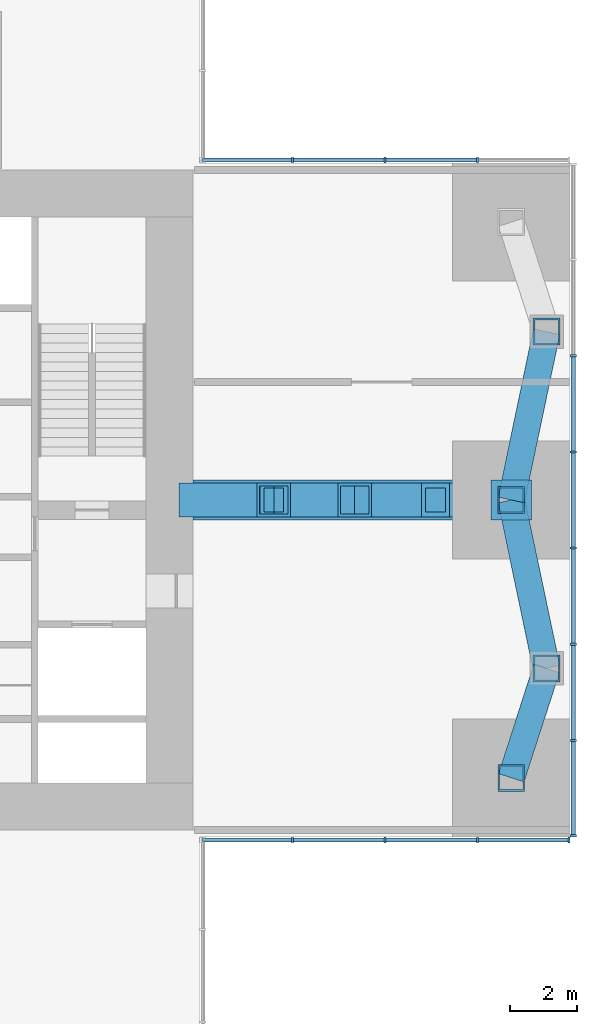
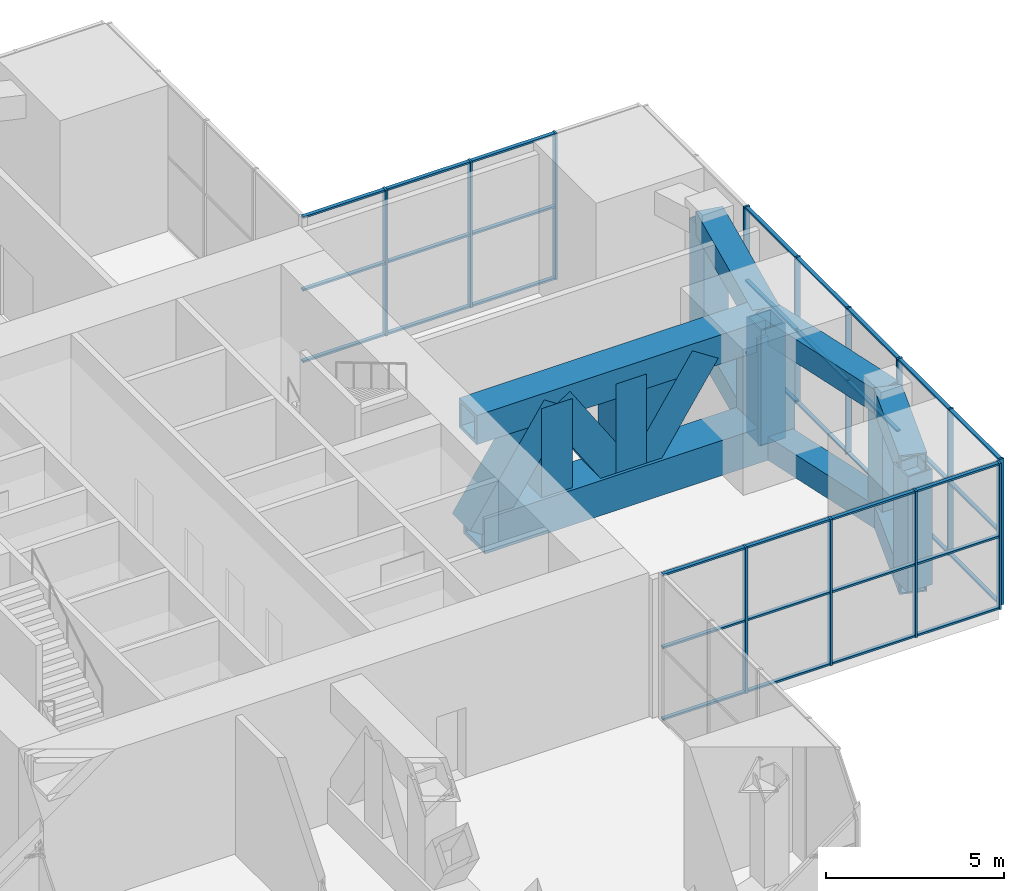
# One storey, part 5 of 12: 67 members, 3 elements without a shape of their own.
"""IFC4 building model written with IfcOpenShell, lengths in metres."""

from ifc_helpers import new_model, si_unit, direction, frame, origin, origin_2d, place, context, subcontext, project, spatial, rectangle, hollow_rectangle, extrude, material, material_profile, profile_set, type_object, element, aggregate, save


model = new_model("IFC4")

# Units and contexts
model_context = context("Model", 3, precision=1e-05, world=origin(), true_north=direction((0.0, 1.0)))
body_context = subcontext(model_context, "Body", "Model", "MODEL_VIEW")
ifc_project = project(units=[si_unit("LENGTHUNIT", "METRE"), si_unit("AREAUNIT", "SQUARE_METRE"), si_unit("VOLUMEUNIT", "CUBIC_METRE"), si_unit("PLANEANGLEUNIT", "RADIAN"), si_unit("MASSUNIT", "GRAM", prefix="KILO")], contexts=[model_context])

# Site, building, storey
site_placement = place(None, origin())
site = spatial("IfcSite", under=ifc_project, at=site_placement, CompositionType="ELEMENT")
building_placement = place(site_placement, origin())
building = spatial("IfcBuilding", under=site, at=building_placement, Name="Svetlomir Tower", CompositionType="ELEMENT")
storey_placement = place(building_placement, frame((0.0, 0.0, 234.5)))
storey = spatial("IfcBuildingStorey", under=building, at=storey_placement, Name="L56", CompositionType="ELEMENT", Elevation=234.5)

# Members
ifc_material_1 = material(Name="Steel S355", Category="steel")
ifc_material_profile_1 = material_profile(ifc_material_1, hollow_rectangle(XDim=0.800048828125, YDim=0.800048828125, WallThickness=0.050048828125, at=origin_2d()), Name="BOX 800x800x50")
ifc_profile_set_1 = profile_set([ifc_material_profile_1], Name="Steel S355")
member_type_1 = type_object("IfcMemberType", Name="BELT FRAME CHORD BOX 800x800x50", PredefinedType="CHORD", material=ifc_profile_set_1)
for number, where, z_axis, x_axis, name in (
    (1, (40.25, 12.75, 0.39990234375), (0.307443428225, 0.951566360503, 0.0), (-0.951566360503, 0.307443428225, 0.0), "Belt frame E L56 bottom chord 1"),
    (2, (40.25, 12.75, 4.35009765625), (0.307443428225, 0.951566360503, 0.0), (-0.951566360503, 0.307443428225, 0.0), "Belt frame E L56 top chord 1"),
):
    element("IfcMember", number, at=place(storey_placement, frame(where, z_axis=z_axis, x_axis=x_axis)), inside=storey, type_object=member_type_1, Name=name, PredefinedType="CHORD", context=body_context, shape_type="SweptSolid", body=[
        extrude(hollow_rectangle(XDim=0.800048828125, YDim=0.800048828125, WallThickness=0.050048828125, at=origin_2d()), origin(), (0.0, 0.0, 1.0), 3.41552734375),
    ])
for number, where, z_axis, x_axis, name in (
    (3, (41.300048828125, 16.0, 0.39990234375), (-0.205526387753, 0.978651574329, 0.0), (-0.978651574329, -0.205526387753, 0.0), "Belt frame E L56 bottom chord 2"),
    (4, (41.300048828125, 16.0, 4.35009765625), (-0.205526387753, 0.978651574329, 0.0), (-0.978651574329, -0.205526387753, 0.0), "Belt frame E L56 top chord 2"),
    (5, (40.25, 21.0, 0.39990234375), (0.205526387753, 0.978651574329, 0.0), (-0.978651574329, 0.205526387753, 0.0), "Belt frame E L56 bottom chord 3"),
    (6, (40.25, 21.0, 4.35009765625), (0.205526387753, 0.978651574329, 0.0), (-0.978651574329, 0.205526387753, 0.0), "Belt frame E L56 top chord 3"),
):
    element("IfcMember", number, at=place(storey_placement, frame(where, z_axis=z_axis, x_axis=x_axis)), inside=storey, type_object=member_type_1, Name=name, PredefinedType="CHORD", context=body_context, shape_type="SweptSolid", body=[
        extrude(hollow_rectangle(XDim=0.800048828125, YDim=0.800048828125, WallThickness=0.050048828125, at=origin_2d()), origin(), (0.0, 0.0, 1.0), 5.109130859375),
    ])
ifc_material_2 = material(Name="Steel S355", Category="steel")
ifc_material_profile_2 = material_profile(ifc_material_2, hollow_rectangle(XDim=0.800048828125, YDim=0.800048828125, WallThickness=0.050048828125, at=origin_2d()), Name="BOX 800x800x50")
ifc_profile_set_2 = profile_set([ifc_material_profile_2], Name="Steel S355")
member_type_2 = type_object("IfcMemberType", Name="BELT FRAME POST BOX 800x800x50", PredefinedType="POST", material=ifc_profile_set_2)
for number, where, z_axis, x_axis, name in (
    (7, (40.25, 12.75, 0.39990234375), (0.0, 0.0, 1.0), (1.0, 0.0, 0.0), "Belt frame E L56 post 1"),
    (8, (41.300048828125, 16.0, 0.39990234375), (0.0, 0.0, 1.0), (1.0, 0.0, 0.0), "Belt frame E L56 post 2"),
    (9, (40.25, 21.0, 0.39990234375), (0.0, 0.0, 1.0), (1.0, 0.0, 0.0), "Belt frame E L56 post 3"),
    (10, (41.300048828125, 26.0, 0.39990234375), (0.0, 0.0, 1.0), (1.0, 0.0, 0.0), "Belt frame E L56 post 4"),
):
    element("IfcMember", number, at=place(storey_placement, frame(where, z_axis=z_axis, x_axis=x_axis)), inside=storey, type_object=member_type_2, Name=name, PredefinedType="POST", context=body_context, shape_type="SweptSolid", body=[
        extrude(hollow_rectangle(XDim=0.800048828125, YDim=0.800048828125, WallThickness=0.050048828125, at=origin_2d()), origin(), (0.0, 0.0, 1.0), 3.9501953125),
    ])

# Curtain wall, members
ifc_material_3 = material(Name="Bronze anodised aluminium curtain wall", Category="aluminium")
curtain_wall_type = type_object("IfcCurtainWallType", Name="CURTAIN WALL CW3 PLANT LOUVRE", PredefinedType="NOTDEFINED", material=ifc_material_3)
curtain_wall_1_placement = place(storey_placement, origin())
curtain_wall_1 = element("IfcCurtainWall", 11, at=curtain_wall_1_placement, inside=storey, type_object=curtain_wall_type, Name="Curtain wall CW3 L56", PredefinedType="NOTDEFINED")
ifc_material_4 = material(Name="Bronze anodised aluminium", Category="aluminium")
ifc_material_profile_3 = material_profile(ifc_material_4, rectangle(XDim=0.06494140625, YDim=0.179931640625, at=origin_2d()), Name="AL 65x180")
ifc_profile_set_3 = profile_set([ifc_material_profile_3], Name="Bronze anodised aluminium 6063-T6")
member_type_3 = type_object("IfcMemberType", Name="CW3 MULLION 65x180", PredefinedType="MULLION", material=ifc_profile_set_3)
member_1_placement = place(storey_placement, frame((33.75, 10.909912109375, 0.0), z_axis=(0.0, 0.0, 1.0), x_axis=(1.0, 0.0, 0.0)))
member_1 = element("IfcMember", 12, at=member_1_placement, type_object=member_type_3, Name="CW3 mullion 2", PredefinedType="MULLION", context=body_context, shape_type="SweptSolid", body=[
    extrude(rectangle(XDim=0.06494140625, YDim=0.179931640625, at=origin_2d()), origin(), (0.0, 0.0, 1.0), 5.0),
])
member_2_placement = place(storey_placement, frame((36.5, 10.909912109375, 0.0), z_axis=(0.0, 0.0, 1.0), x_axis=(1.0, 0.0, 0.0)))
member_2 = element("IfcMember", 13, at=member_2_placement, type_object=member_type_3, Name="CW3 mullion 3", PredefinedType="MULLION", context=body_context, shape_type="SweptSolid", body=[
    extrude(rectangle(XDim=0.06494140625, YDim=0.179931640625, at=origin_2d()), origin(), (0.0, 0.0, 1.0), 5.0),
])
member_3_placement = place(storey_placement, frame((39.25, 10.909912109375, 0.0), z_axis=(0.0, 0.0, 1.0), x_axis=(1.0, 0.0, 0.0)))
member_3 = element("IfcMember", 14, at=member_3_placement, type_object=member_type_3, Name="CW3 mullion 4", PredefinedType="MULLION", context=body_context, shape_type="SweptSolid", body=[
    extrude(rectangle(XDim=0.06494140625, YDim=0.179931640625, at=origin_2d()), origin(), (0.0, 0.0, 1.0), 5.0),
])
member_4_placement = place(storey_placement, frame((41.967529296875, 10.909912109375, 0.0), z_axis=(0.0, 0.0, 1.0), x_axis=(1.0, 0.0, 0.0)))
member_4 = element("IfcMember", 15, at=member_4_placement, type_object=member_type_3, Name="CW3 mullion 5", PredefinedType="MULLION", context=body_context, shape_type="SweptSolid", body=[
    extrude(rectangle(XDim=0.06494140625, YDim=0.179931640625, at=origin_2d()), origin(), (0.0, 0.0, 1.0), 5.0),
])

curtain_wall_2_placement = place(storey_placement, origin())
curtain_wall_2 = element("IfcCurtainWall", 16, at=curtain_wall_2_placement, inside=storey, type_object=curtain_wall_type, Name="Curtain wall CW3 L56", PredefinedType="NOTDEFINED")
member_5_placement = place(storey_placement, frame((42.090087890625, 11.032470703125, 0.0), z_axis=(0.0, 0.0, 1.0), x_axis=(0.0, 1.0, 0.0)))
member_5 = element("IfcMember", 17, at=member_5_placement, type_object=member_type_3, Name="CW3 mullion 1", PredefinedType="MULLION", context=body_context, shape_type="SweptSolid", body=[
    extrude(rectangle(XDim=0.06494140625, YDim=0.179931640625, at=origin_2d()), origin(), (0.0, 0.0, 1.0), 5.0),
])
member_6_placement = place(storey_placement, frame((42.090087890625, 13.857177734375, 0.0), z_axis=(0.0, 0.0, 1.0), x_axis=(0.0, 1.0, 0.0)))
member_6 = element("IfcMember", 18, at=member_6_placement, type_object=member_type_3, Name="CW3 mullion 2", PredefinedType="MULLION", context=body_context, shape_type="SweptSolid", body=[
    extrude(rectangle(XDim=0.06494140625, YDim=0.179931640625, at=origin_2d()), origin(), (0.0, 0.0, 1.0), 5.0),
])
member_7_placement = place(storey_placement, frame((42.090087890625, 16.71435546875, 0.0), z_axis=(0.0, 0.0, 1.0), x_axis=(0.0, 1.0, 0.0)))
member_7 = element("IfcMember", 19, at=member_7_placement, type_object=member_type_3, Name="CW3 mullion 3", PredefinedType="MULLION", context=body_context, shape_type="SweptSolid", body=[
    extrude(rectangle(XDim=0.06494140625, YDim=0.179931640625, at=origin_2d()), origin(), (0.0, 0.0, 1.0), 5.0),
])
member_8_placement = place(storey_placement, frame((42.090087890625, 19.571533203125, 0.0), z_axis=(0.0, 0.0, 1.0), x_axis=(0.0, 1.0, 0.0)))
member_8 = element("IfcMember", 20, at=member_8_placement, type_object=member_type_3, Name="CW3 mullion 4", PredefinedType="MULLION", context=body_context, shape_type="SweptSolid", body=[
    extrude(rectangle(XDim=0.06494140625, YDim=0.179931640625, at=origin_2d()), origin(), (0.0, 0.0, 1.0), 5.0),
])
member_9_placement = place(storey_placement, frame((42.090087890625, 22.428466796875, 0.0), z_axis=(0.0, 0.0, 1.0), x_axis=(0.0, 1.0, 0.0)))
member_9 = element("IfcMember", 21, at=member_9_placement, type_object=member_type_3, Name="CW3 mullion 5", PredefinedType="MULLION", context=body_context, shape_type="SweptSolid", body=[
    extrude(rectangle(XDim=0.06494140625, YDim=0.179931640625, at=origin_2d()), origin(), (0.0, 0.0, 1.0), 5.0),
])
member_10_placement = place(storey_placement, frame((42.090087890625, 25.28564453125, 0.0), z_axis=(0.0, 0.0, 1.0), x_axis=(0.0, 1.0, 0.0)))
member_10 = element("IfcMember", 22, at=member_10_placement, type_object=member_type_3, Name="CW3 mullion 6", PredefinedType="MULLION", context=body_context, shape_type="SweptSolid", body=[
    extrude(rectangle(XDim=0.06494140625, YDim=0.179931640625, at=origin_2d()), origin(), (0.0, 0.0, 1.0), 5.0),
])

curtain_wall_3_placement = place(storey_placement, origin())
curtain_wall_3 = element("IfcCurtainWall", 23, at=curtain_wall_3_placement, inside=storey, type_object=curtain_wall_type, Name="Curtain wall CW3 L56", PredefinedType="NOTDEFINED")
member_11_placement = place(storey_placement, frame((39.25, 31.090087890625, 0.0), z_axis=(0.0, 0.0, 1.0), x_axis=(-1.0, 0.0, 0.0)))
member_11 = element("IfcMember", 24, at=member_11_placement, type_object=member_type_3, Name="CW3 mullion 2", PredefinedType="MULLION", context=body_context, shape_type="SweptSolid", body=[
    extrude(rectangle(XDim=0.06494140625, YDim=0.179931640625, at=origin_2d()), origin(), (0.0, 0.0, 1.0), 5.0),
])
member_12_placement = place(storey_placement, frame((36.5, 31.090087890625, 0.0), z_axis=(0.0, 0.0, 1.0), x_axis=(-1.0, 0.0, 0.0)))
member_12 = element("IfcMember", 25, at=member_12_placement, type_object=member_type_3, Name="CW3 mullion 3", PredefinedType="MULLION", context=body_context, shape_type="SweptSolid", body=[
    extrude(rectangle(XDim=0.06494140625, YDim=0.179931640625, at=origin_2d()), origin(), (0.0, 0.0, 1.0), 5.0),
])
member_13_placement = place(storey_placement, frame((33.75, 31.090087890625, 0.0), z_axis=(0.0, 0.0, 1.0), x_axis=(-1.0, 0.0, 0.0)))
member_13 = element("IfcMember", 26, at=member_13_placement, type_object=member_type_3, Name="CW3 mullion 4", PredefinedType="MULLION", context=body_context, shape_type="SweptSolid", body=[
    extrude(rectangle(XDim=0.06494140625, YDim=0.179931640625, at=origin_2d()), origin(), (0.0, 0.0, 1.0), 5.0),
])

# Member
ifc_material_5 = material(Name="Bronze anodised aluminium", Category="aluminium")
ifc_material_profile_4 = material_profile(ifc_material_5, rectangle(XDim=0.1201171875, YDim=0.06494140625, at=origin_2d()), Name="AL 120x65")
ifc_profile_set_4 = profile_set([ifc_material_profile_4], Name="Bronze anodised aluminium 6063-T6")
member_type_4 = type_object("IfcMemberType", Name="CW3 TRANSOM 65x120", PredefinedType="USERDEFINED", material=ifc_profile_set_4)
member_14_placement = place(storey_placement, frame((31.06494140625, 10.909912109375, 0.032470703125), z_axis=(1.0, 0.0, 0.0), x_axis=(0.0, 1.0, 0.0)))
member_14 = element("IfcMember", 27, at=member_14_placement, type_object=member_type_4, Name="CW3 transom 1.1", ObjectType="TRANSOM", PredefinedType="USERDEFINED", context=body_context, shape_type="SweptSolid", body=[
    extrude(rectangle(XDim=0.1201171875, YDim=0.06494140625, at=origin_2d()), origin(), (0.0, 0.0, 1.0), 2.652587890625),
])

member_15_placement = place(storey_placement, frame((31.06494140625, 10.909912109375, 2.483642578125), z_axis=(1.0, 0.0, 0.0), x_axis=(0.0, 1.0, 0.0)))
member_15 = element("IfcMember", 28, at=member_15_placement, type_object=member_type_4, Name="CW3 transom 1.2", ObjectType="TRANSOM", PredefinedType="USERDEFINED", context=body_context, shape_type="SweptSolid", body=[
    extrude(rectangle(XDim=0.1201171875, YDim=0.06494140625, at=origin_2d()), origin(), (0.0, 0.0, 1.0), 2.652587890625),
])

member_16_placement = place(storey_placement, frame((31.06494140625, 10.909912109375, 4.967529296875), z_axis=(1.0, 0.0, 0.0), x_axis=(0.0, 1.0, 0.0)))
member_16 = element("IfcMember", 29, at=member_16_placement, type_object=member_type_4, Name="CW3 transom 1.3", ObjectType="TRANSOM", PredefinedType="USERDEFINED", context=body_context, shape_type="SweptSolid", body=[
    extrude(rectangle(XDim=0.1201171875, YDim=0.06494140625, at=origin_2d()), origin(), (0.0, 0.0, 1.0), 2.652587890625),
])

member_17_placement = place(storey_placement, frame((33.782470703125, 10.909912109375, 0.032470703125), z_axis=(1.0, 0.0, 0.0), x_axis=(0.0, 1.0, 0.0)))
member_17 = element("IfcMember", 30, at=member_17_placement, type_object=member_type_4, Name="CW3 transom 2.1", ObjectType="TRANSOM", PredefinedType="USERDEFINED", context=body_context, shape_type="SweptSolid", body=[
    extrude(rectangle(XDim=0.1201171875, YDim=0.06494140625, at=origin_2d()), origin(), (0.0, 0.0, 1.0), 2.68505859375),
])

member_18_placement = place(storey_placement, frame((33.782470703125, 10.909912109375, 2.483642578125), z_axis=(1.0, 0.0, 0.0), x_axis=(0.0, 1.0, 0.0)))
member_18 = element("IfcMember", 31, at=member_18_placement, type_object=member_type_4, Name="CW3 transom 2.2", ObjectType="TRANSOM", PredefinedType="USERDEFINED", context=body_context, shape_type="SweptSolid", body=[
    extrude(rectangle(XDim=0.1201171875, YDim=0.06494140625, at=origin_2d()), origin(), (0.0, 0.0, 1.0), 2.68505859375),
])

member_19_placement = place(storey_placement, frame((33.782470703125, 10.909912109375, 4.967529296875), z_axis=(1.0, 0.0, 0.0), x_axis=(0.0, 1.0, 0.0)))
member_19 = element("IfcMember", 32, at=member_19_placement, type_object=member_type_4, Name="CW3 transom 2.3", ObjectType="TRANSOM", PredefinedType="USERDEFINED", context=body_context, shape_type="SweptSolid", body=[
    extrude(rectangle(XDim=0.1201171875, YDim=0.06494140625, at=origin_2d()), origin(), (0.0, 0.0, 1.0), 2.68505859375),
])

member_20_placement = place(storey_placement, frame((36.532470703125, 10.909912109375, 0.032470703125), z_axis=(1.0, 0.0, 0.0), x_axis=(0.0, 1.0, 0.0)))
member_20 = element("IfcMember", 33, at=member_20_placement, type_object=member_type_4, Name="CW3 transom 3.1", ObjectType="TRANSOM", PredefinedType="USERDEFINED", context=body_context, shape_type="SweptSolid", body=[
    extrude(rectangle(XDim=0.1201171875, YDim=0.06494140625, at=origin_2d()), origin(), (0.0, 0.0, 1.0), 2.68505859375),
])

member_21_placement = place(storey_placement, frame((36.532470703125, 10.909912109375, 2.483642578125), z_axis=(1.0, 0.0, 0.0), x_axis=(0.0, 1.0, 0.0)))
member_21 = element("IfcMember", 34, at=member_21_placement, type_object=member_type_4, Name="CW3 transom 3.2", ObjectType="TRANSOM", PredefinedType="USERDEFINED", context=body_context, shape_type="SweptSolid", body=[
    extrude(rectangle(XDim=0.1201171875, YDim=0.06494140625, at=origin_2d()), origin(), (0.0, 0.0, 1.0), 2.68505859375),
])

member_22_placement = place(storey_placement, frame((36.532470703125, 10.909912109375, 4.967529296875), z_axis=(1.0, 0.0, 0.0), x_axis=(0.0, 1.0, 0.0)))
member_22 = element("IfcMember", 35, at=member_22_placement, type_object=member_type_4, Name="CW3 transom 3.3", ObjectType="TRANSOM", PredefinedType="USERDEFINED", context=body_context, shape_type="SweptSolid", body=[
    extrude(rectangle(XDim=0.1201171875, YDim=0.06494140625, at=origin_2d()), origin(), (0.0, 0.0, 1.0), 2.68505859375),
])

member_23_placement = place(storey_placement, frame((39.282470703125, 10.909912109375, 0.032470703125), z_axis=(1.0, 0.0, 0.0), x_axis=(0.0, 1.0, 0.0)))
member_23 = element("IfcMember", 36, at=member_23_placement, type_object=member_type_4, Name="CW3 transom 4.1", ObjectType="TRANSOM", PredefinedType="USERDEFINED", context=body_context, shape_type="SweptSolid", body=[
    extrude(rectangle(XDim=0.1201171875, YDim=0.06494140625, at=origin_2d()), origin(), (0.0, 0.0, 1.0), 2.652587890625),
])

member_24_placement = place(storey_placement, frame((39.282470703125, 10.909912109375, 2.483642578125), z_axis=(1.0, 0.0, 0.0), x_axis=(0.0, 1.0, 0.0)))
member_24 = element("IfcMember", 37, at=member_24_placement, type_object=member_type_4, Name="CW3 transom 4.2", ObjectType="TRANSOM", PredefinedType="USERDEFINED", context=body_context, shape_type="SweptSolid", body=[
    extrude(rectangle(XDim=0.1201171875, YDim=0.06494140625, at=origin_2d()), origin(), (0.0, 0.0, 1.0), 2.652587890625),
])

member_25_placement = place(storey_placement, frame((39.282470703125, 10.909912109375, 4.967529296875), z_axis=(1.0, 0.0, 0.0), x_axis=(0.0, 1.0, 0.0)))
member_25 = element("IfcMember", 38, at=member_25_placement, type_object=member_type_4, Name="CW3 transom 4.3", ObjectType="TRANSOM", PredefinedType="USERDEFINED", context=body_context, shape_type="SweptSolid", body=[
    extrude(rectangle(XDim=0.1201171875, YDim=0.06494140625, at=origin_2d()), origin(), (0.0, 0.0, 1.0), 2.652587890625),
])

aggregate(curtain_wall_1, [member_1, member_2, member_3, member_4, member_14, member_15, member_16, member_17, member_18, member_19, member_20, member_21, member_22, member_23, member_24, member_25])

member_26_placement = place(storey_placement, frame((42.090087890625, 11.06494140625, 0.032470703125), z_axis=(0.0, 1.0, 0.0), x_axis=(-1.0, 0.0, 0.0)))
member_26 = element("IfcMember", 39, at=member_26_placement, type_object=member_type_4, Name="CW3 transom 1.1", ObjectType="TRANSOM", PredefinedType="USERDEFINED", context=body_context, shape_type="SweptSolid", body=[
    extrude(rectangle(XDim=0.1201171875, YDim=0.06494140625, at=origin_2d()), origin(), (0.0, 0.0, 1.0), 2.759765625),
])

member_27_placement = place(storey_placement, frame((42.090087890625, 11.06494140625, 2.483642578125), z_axis=(0.0, 1.0, 0.0), x_axis=(-1.0, 0.0, 0.0)))
member_27 = element("IfcMember", 40, at=member_27_placement, type_object=member_type_4, Name="CW3 transom 1.2", ObjectType="TRANSOM", PredefinedType="USERDEFINED", context=body_context, shape_type="SweptSolid", body=[
    extrude(rectangle(XDim=0.1201171875, YDim=0.06494140625, at=origin_2d()), origin(), (0.0, 0.0, 1.0), 2.759765625),
])

member_28_placement = place(storey_placement, frame((42.090087890625, 11.06494140625, 4.967529296875), z_axis=(0.0, 1.0, 0.0), x_axis=(-1.0, 0.0, 0.0)))
member_28 = element("IfcMember", 41, at=member_28_placement, type_object=member_type_4, Name="CW3 transom 1.3", ObjectType="TRANSOM", PredefinedType="USERDEFINED", context=body_context, shape_type="SweptSolid", body=[
    extrude(rectangle(XDim=0.1201171875, YDim=0.06494140625, at=origin_2d()), origin(), (0.0, 0.0, 1.0), 2.759765625),
])

member_29_placement = place(storey_placement, frame((42.090087890625, 13.8896484375, 0.032470703125), z_axis=(0.0, 1.0, 0.0), x_axis=(-1.0, 0.0, 0.0)))
member_29 = element("IfcMember", 42, at=member_29_placement, type_object=member_type_4, Name="CW3 transom 2.1", ObjectType="TRANSOM", PredefinedType="USERDEFINED", context=body_context, shape_type="SweptSolid", body=[
    extrude(rectangle(XDim=0.1201171875, YDim=0.06494140625, at=origin_2d()), origin(), (0.0, 0.0, 1.0), 2.792236328125),
])

member_30_placement = place(storey_placement, frame((42.090087890625, 13.8896484375, 2.483642578125), z_axis=(0.0, 1.0, 0.0), x_axis=(-1.0, 0.0, 0.0)))
member_30 = element("IfcMember", 43, at=member_30_placement, type_object=member_type_4, Name="CW3 transom 2.2", ObjectType="TRANSOM", PredefinedType="USERDEFINED", context=body_context, shape_type="SweptSolid", body=[
    extrude(rectangle(XDim=0.1201171875, YDim=0.06494140625, at=origin_2d()), origin(), (0.0, 0.0, 1.0), 2.792236328125),
])

member_31_placement = place(storey_placement, frame((42.090087890625, 13.8896484375, 4.967529296875), z_axis=(0.0, 1.0, 0.0), x_axis=(-1.0, 0.0, 0.0)))
member_31 = element("IfcMember", 44, at=member_31_placement, type_object=member_type_4, Name="CW3 transom 2.3", ObjectType="TRANSOM", PredefinedType="USERDEFINED", context=body_context, shape_type="SweptSolid", body=[
    extrude(rectangle(XDim=0.1201171875, YDim=0.06494140625, at=origin_2d()), origin(), (0.0, 0.0, 1.0), 2.792236328125),
])

member_32_placement = place(storey_placement, frame((42.090087890625, 16.746826171875, 0.032470703125), z_axis=(0.0, 1.0, 0.0), x_axis=(-1.0, 0.0, 0.0)))
member_32 = element("IfcMember", 45, at=member_32_placement, type_object=member_type_4, Name="CW3 transom 3.1", ObjectType="TRANSOM", PredefinedType="USERDEFINED", context=body_context, shape_type="SweptSolid", body=[
    extrude(rectangle(XDim=0.1201171875, YDim=0.06494140625, at=origin_2d()), origin(), (0.0, 0.0, 1.0), 2.7919921875),
])

member_33_placement = place(storey_placement, frame((42.090087890625, 16.746826171875, 2.483642578125), z_axis=(0.0, 1.0, 0.0), x_axis=(-1.0, 0.0, 0.0)))
member_33 = element("IfcMember", 46, at=member_33_placement, type_object=member_type_4, Name="CW3 transom 3.2", ObjectType="TRANSOM", PredefinedType="USERDEFINED", context=body_context, shape_type="SweptSolid", body=[
    extrude(rectangle(XDim=0.1201171875, YDim=0.06494140625, at=origin_2d()), origin(), (0.0, 0.0, 1.0), 2.7919921875),
])

member_34_placement = place(storey_placement, frame((42.090087890625, 16.746826171875, 4.967529296875), z_axis=(0.0, 1.0, 0.0), x_axis=(-1.0, 0.0, 0.0)))
member_34 = element("IfcMember", 47, at=member_34_placement, type_object=member_type_4, Name="CW3 transom 3.3", ObjectType="TRANSOM", PredefinedType="USERDEFINED", context=body_context, shape_type="SweptSolid", body=[
    extrude(rectangle(XDim=0.1201171875, YDim=0.06494140625, at=origin_2d()), origin(), (0.0, 0.0, 1.0), 2.7919921875),
])

member_35_placement = place(storey_placement, frame((42.090087890625, 19.60400390625, 0.032470703125), z_axis=(0.0, 1.0, 0.0), x_axis=(-1.0, 0.0, 0.0)))
member_35 = element("IfcMember", 48, at=member_35_placement, type_object=member_type_4, Name="CW3 transom 4.1", ObjectType="TRANSOM", PredefinedType="USERDEFINED", context=body_context, shape_type="SweptSolid", body=[
    extrude(rectangle(XDim=0.1201171875, YDim=0.06494140625, at=origin_2d()), origin(), (0.0, 0.0, 1.0), 2.7919921875),
])

member_36_placement = place(storey_placement, frame((42.090087890625, 19.60400390625, 2.483642578125), z_axis=(0.0, 1.0, 0.0), x_axis=(-1.0, 0.0, 0.0)))
member_36 = element("IfcMember", 49, at=member_36_placement, type_object=member_type_4, Name="CW3 transom 4.2", ObjectType="TRANSOM", PredefinedType="USERDEFINED", context=body_context, shape_type="SweptSolid", body=[
    extrude(rectangle(XDim=0.1201171875, YDim=0.06494140625, at=origin_2d()), origin(), (0.0, 0.0, 1.0), 2.7919921875),
])

member_37_placement = place(storey_placement, frame((42.090087890625, 19.60400390625, 4.967529296875), z_axis=(0.0, 1.0, 0.0), x_axis=(-1.0, 0.0, 0.0)))
member_37 = element("IfcMember", 50, at=member_37_placement, type_object=member_type_4, Name="CW3 transom 4.3", ObjectType="TRANSOM", PredefinedType="USERDEFINED", context=body_context, shape_type="SweptSolid", body=[
    extrude(rectangle(XDim=0.1201171875, YDim=0.06494140625, at=origin_2d()), origin(), (0.0, 0.0, 1.0), 2.7919921875),
])

member_38_placement = place(storey_placement, frame((42.090087890625, 22.461181640625, 0.032470703125), z_axis=(0.0, 1.0, 0.0), x_axis=(-1.0, 0.0, 0.0)))
member_38 = element("IfcMember", 51, at=member_38_placement, type_object=member_type_4, Name="CW3 transom 5.1", ObjectType="TRANSOM", PredefinedType="USERDEFINED", context=body_context, shape_type="SweptSolid", body=[
    extrude(rectangle(XDim=0.1201171875, YDim=0.06494140625, at=origin_2d()), origin(), (0.0, 0.0, 1.0), 2.7919921875),
])

member_39_placement = place(storey_placement, frame((42.090087890625, 22.461181640625, 2.483642578125), z_axis=(0.0, 1.0, 0.0), x_axis=(-1.0, 0.0, 0.0)))
member_39 = element("IfcMember", 52, at=member_39_placement, type_object=member_type_4, Name="CW3 transom 5.2", ObjectType="TRANSOM", PredefinedType="USERDEFINED", context=body_context, shape_type="SweptSolid", body=[
    extrude(rectangle(XDim=0.1201171875, YDim=0.06494140625, at=origin_2d()), origin(), (0.0, 0.0, 1.0), 2.7919921875),
])

member_40_placement = place(storey_placement, frame((42.090087890625, 22.461181640625, 4.967529296875), z_axis=(0.0, 1.0, 0.0), x_axis=(-1.0, 0.0, 0.0)))
member_40 = element("IfcMember", 53, at=member_40_placement, type_object=member_type_4, Name="CW3 transom 5.3", ObjectType="TRANSOM", PredefinedType="USERDEFINED", context=body_context, shape_type="SweptSolid", body=[
    extrude(rectangle(XDim=0.1201171875, YDim=0.06494140625, at=origin_2d()), origin(), (0.0, 0.0, 1.0), 2.7919921875),
])

aggregate(curtain_wall_2, [member_5, member_6, member_7, member_8, member_9, member_10, member_26, member_27, member_28, member_29, member_30, member_31, member_32, member_33, member_34, member_35, member_36, member_37, member_38, member_39, member_40])

member_41_placement = place(storey_placement, frame((39.217529296875, 31.090087890625, 0.032470703125), z_axis=(-1.0, 0.0, 0.0), x_axis=(0.0, -1.0, 0.0)))
member_41 = element("IfcMember", 54, at=member_41_placement, type_object=member_type_4, Name="CW3 transom 2.1", ObjectType="TRANSOM", PredefinedType="USERDEFINED", context=body_context, shape_type="SweptSolid", body=[
    extrude(rectangle(XDim=0.1201171875, YDim=0.06494140625, at=origin_2d()), origin(), (0.0, 0.0, 1.0), 2.68505859375),
])

member_42_placement = place(storey_placement, frame((39.217529296875, 31.090087890625, 2.483642578125), z_axis=(-1.0, 0.0, 0.0), x_axis=(0.0, -1.0, 0.0)))
member_42 = element("IfcMember", 55, at=member_42_placement, type_object=member_type_4, Name="CW3 transom 2.2", ObjectType="TRANSOM", PredefinedType="USERDEFINED", context=body_context, shape_type="SweptSolid", body=[
    extrude(rectangle(XDim=0.1201171875, YDim=0.06494140625, at=origin_2d()), origin(), (0.0, 0.0, 1.0), 2.68505859375),
])

member_43_placement = place(storey_placement, frame((39.217529296875, 31.090087890625, 4.967529296875), z_axis=(-1.0, 0.0, 0.0), x_axis=(0.0, -1.0, 0.0)))
member_43 = element("IfcMember", 56, at=member_43_placement, type_object=member_type_4, Name="CW3 transom 2.3", ObjectType="TRANSOM", PredefinedType="USERDEFINED", context=body_context, shape_type="SweptSolid", body=[
    extrude(rectangle(XDim=0.1201171875, YDim=0.06494140625, at=origin_2d()), origin(), (0.0, 0.0, 1.0), 2.68505859375),
])

member_44_placement = place(storey_placement, frame((36.467529296875, 31.090087890625, 0.032470703125), z_axis=(-1.0, 0.0, 0.0), x_axis=(0.0, -1.0, 0.0)))
member_44 = element("IfcMember", 57, at=member_44_placement, type_object=member_type_4, Name="CW3 transom 3.1", ObjectType="TRANSOM", PredefinedType="USERDEFINED", context=body_context, shape_type="SweptSolid", body=[
    extrude(rectangle(XDim=0.1201171875, YDim=0.06494140625, at=origin_2d()), origin(), (0.0, 0.0, 1.0), 2.68505859375),
])

member_45_placement = place(storey_placement, frame((36.467529296875, 31.090087890625, 2.483642578125), z_axis=(-1.0, 0.0, 0.0), x_axis=(0.0, -1.0, 0.0)))
member_45 = element("IfcMember", 58, at=member_45_placement, type_object=member_type_4, Name="CW3 transom 3.2", ObjectType="TRANSOM", PredefinedType="USERDEFINED", context=body_context, shape_type="SweptSolid", body=[
    extrude(rectangle(XDim=0.1201171875, YDim=0.06494140625, at=origin_2d()), origin(), (0.0, 0.0, 1.0), 2.68505859375),
])

member_46_placement = place(storey_placement, frame((36.467529296875, 31.090087890625, 4.967529296875), z_axis=(-1.0, 0.0, 0.0), x_axis=(0.0, -1.0, 0.0)))
member_46 = element("IfcMember", 59, at=member_46_placement, type_object=member_type_4, Name="CW3 transom 3.3", ObjectType="TRANSOM", PredefinedType="USERDEFINED", context=body_context, shape_type="SweptSolid", body=[
    extrude(rectangle(XDim=0.1201171875, YDim=0.06494140625, at=origin_2d()), origin(), (0.0, 0.0, 1.0), 2.68505859375),
])

member_47_placement = place(storey_placement, frame((33.717529296875, 31.090087890625, 0.032470703125), z_axis=(-1.0, 0.0, 0.0), x_axis=(0.0, -1.0, 0.0)))
member_47 = element("IfcMember", 60, at=member_47_placement, type_object=member_type_4, Name="CW3 transom 4.1", ObjectType="TRANSOM", PredefinedType="USERDEFINED", context=body_context, shape_type="SweptSolid", body=[
    extrude(rectangle(XDim=0.1201171875, YDim=0.06494140625, at=origin_2d()), origin(), (0.0, 0.0, 1.0), 2.652587890625),
])

member_48_placement = place(storey_placement, frame((33.717529296875, 31.090087890625, 2.483642578125), z_axis=(-1.0, 0.0, 0.0), x_axis=(0.0, -1.0, 0.0)))
member_48 = element("IfcMember", 61, at=member_48_placement, type_object=member_type_4, Name="CW3 transom 4.2", ObjectType="TRANSOM", PredefinedType="USERDEFINED", context=body_context, shape_type="SweptSolid", body=[
    extrude(rectangle(XDim=0.1201171875, YDim=0.06494140625, at=origin_2d()), origin(), (0.0, 0.0, 1.0), 2.652587890625),
])

member_49_placement = place(storey_placement, frame((33.717529296875, 31.090087890625, 4.967529296875), z_axis=(-1.0, 0.0, 0.0), x_axis=(0.0, -1.0, 0.0)))
member_49 = element("IfcMember", 62, at=member_49_placement, type_object=member_type_4, Name="CW3 transom 4.3", ObjectType="TRANSOM", PredefinedType="USERDEFINED", context=body_context, shape_type="SweptSolid", body=[
    extrude(rectangle(XDim=0.1201171875, YDim=0.06494140625, at=origin_2d()), origin(), (0.0, 0.0, 1.0), 2.652587890625),
])

aggregate(curtain_wall_3, [member_11, member_12, member_13, member_41, member_42, member_43, member_44, member_45, member_46, member_47, member_48, member_49])

# Members
ifc_material_6 = material(Name="Steel S355", Category="steel")
ifc_material_profile_5 = material_profile(ifc_material_6, hollow_rectangle(XDim=1.0, YDim=1.0, WallThickness=0.1201171875, at=origin_2d()), Name="BOX 1000x1000x120")
ifc_profile_set_5 = profile_set([ifc_material_profile_5], Name="Steel S355")
member_type_5 = type_object("IfcMemberType", Name="OUTRIGGER CHORD BOX 1000x1000x120", PredefinedType="CHORD", material=ifc_profile_set_5)
member_50_placement = place(storey_placement, frame((30.60009765625, 21.0, 4.25), z_axis=(1.0, 0.0, 0.0), x_axis=(0.0, 1.0, 0.0)))
element("IfcMember", 63, at=member_50_placement, inside=storey, type_object=member_type_5, Name="Outrigger E L56 top chord", PredefinedType="CHORD", context=body_context, shape_type="SweptSolid", body=[
    extrude(hollow_rectangle(XDim=1.0, YDim=1.0, WallThickness=0.1201171875, at=origin_2d()), origin(), (0.0, 0.0, 1.0), 9.64990234375),
])
ifc_material_7 = material(Name="Steel S355", Category="steel")
ifc_material_profile_6 = material_profile(ifc_material_7, hollow_rectangle(XDim=1.199951171875, YDim=1.199951171875, WallThickness=0.14990234375, at=origin_2d()), Name="BOX 1200x1200x150")
ifc_profile_set_6 = profile_set([ifc_material_profile_6], Name="Steel S355")
member_type_6 = type_object("IfcMemberType", Name="OUTRIGGER CHORD BOX 1200x1200x150", PredefinedType="CHORD", material=ifc_profile_set_6)
member_51_placement = place(storey_placement, frame((30.800048828125, 21.0, 0.60009765625), z_axis=(1.0, 0.0, 0.0), x_axis=(0.0, 1.0, 0.0)))
element("IfcMember", 64, at=member_51_placement, inside=storey, type_object=member_type_6, Name="Outrigger E L56 bottom chord", PredefinedType="CHORD", context=body_context, shape_type="SweptSolid", body=[
    extrude(hollow_rectangle(XDim=1.199951171875, YDim=1.199951171875, WallThickness=0.14990234375, at=origin_2d()), origin(), (0.0, 0.0, 1.0), 9.449951171875),
])
ifc_material_8 = material(Name="Steel S355", Category="steel")
ifc_material_profile_7 = material_profile(ifc_material_8, hollow_rectangle(XDim=1.0, YDim=1.0, WallThickness=0.14990234375, at=origin_2d()), Name="BOX 1000x1000x150")
ifc_profile_set_7 = profile_set([ifc_material_profile_7], Name="Steel S355")
member_type_7 = type_object("IfcMemberType", Name="OUTRIGGER DIAGONAL BOX 1000x1000x150", PredefinedType="BRACE", material=ifc_profile_set_7)
member_52_placement = place(storey_placement, frame((30.800048828125, 21.0, 0.60009765625), z_axis=(0.549400918172, 0.0, 0.835558873516), x_axis=(0.0, 1.0, 0.0)))
element("IfcMember", 65, at=member_52_placement, inside=storey, type_object=member_type_7, Name="Outrigger E L56 diagonal 1", PredefinedType="BRACE", context=body_context, shape_type="SweptSolid", body=[
    extrude(hollow_rectangle(XDim=1.0, YDim=1.0, WallThickness=0.14990234375, at=origin_2d()), origin(), (0.0, 0.0, 1.0), 4.3681640625),
])
member_53_placement = place(storey_placement, frame((33.199951171875, 21.0, 4.25), z_axis=(0.549439936618, 0.0, -0.835533216604), x_axis=(0.0, 1.0, 0.0)))
element("IfcMember", 66, at=member_53_placement, inside=storey, type_object=member_type_7, Name="Outrigger E L56 diagonal 2", PredefinedType="BRACE", context=body_context, shape_type="SweptSolid", body=[
    extrude(hollow_rectangle(XDim=1.0, YDim=1.0, WallThickness=0.14990234375, at=origin_2d()), origin(), (0.0, 0.0, 1.0), 4.368408203125),
])
member_54_placement = place(storey_placement, frame((35.60009765625, 21.0, 0.60009765625), z_axis=(0.549400918172, 0.0, 0.835558873516), x_axis=(0.0, 1.0, 0.0)))
element("IfcMember", 67, at=member_54_placement, inside=storey, type_object=member_type_7, Name="Outrigger E L56 diagonal 3", PredefinedType="BRACE", context=body_context, shape_type="SweptSolid", body=[
    extrude(hollow_rectangle(XDim=1.0, YDim=1.0, WallThickness=0.14990234375, at=origin_2d()), origin(), (0.0, 0.0, 1.0), 4.3681640625),
])
ifc_material_9 = material(Name="Steel S355", Category="steel")
ifc_material_profile_8 = material_profile(ifc_material_9, hollow_rectangle(XDim=1.199951171875, YDim=1.199951171875, WallThickness=0.199951171875, at=origin_2d()), Name="BOX 1200x1200x200")
ifc_profile_set_8 = profile_set([ifc_material_profile_8], Name="Steel S355")
member_type_8 = type_object("IfcMemberType", Name="OUTRIGGER END POST BOX 1200x1200x200", PredefinedType="POST", material=ifc_profile_set_8)
member_55_placement = place(storey_placement, frame((40.25, 21.0, 0.60009765625), z_axis=(0.0, 0.0, 1.0), x_axis=(1.0, 0.0, 0.0)))
element("IfcMember", 68, at=member_55_placement, inside=storey, type_object=member_type_8, Name="Outrigger E L56 end post", PredefinedType="POST", context=body_context, shape_type="SweptSolid", body=[
    extrude(hollow_rectangle(XDim=1.199951171875, YDim=1.199951171875, WallThickness=0.199951171875, at=origin_2d()), origin(), (0.0, 0.0, 1.0), 3.64990234375),
])
ifc_material_10 = material(Name="Steel S355", Category="steel")
ifc_material_profile_9 = material_profile(ifc_material_10, hollow_rectangle(XDim=1.0, YDim=1.0, WallThickness=0.080078125, at=origin_2d()), Name="BOX 1000x1000x80")
ifc_profile_set_9 = profile_set([ifc_material_profile_9], Name="Steel S355")
member_type_9 = type_object("IfcMemberType", Name="OUTRIGGER POST BOX 1000x1000x80", PredefinedType="POST", material=ifc_profile_set_9)
for number, where, z_axis, x_axis, name in (
    (69, (33.199951171875, 21.0, 0.60009765625), (0.0, 0.0, 1.0), (1.0, 0.0, 0.0), "Outrigger E L56 post 1"),
    (70, (35.60009765625, 21.0, 0.60009765625), (0.0, 0.0, 1.0), (1.0, 0.0, 0.0), "Outrigger E L56 post 2"),
):
    element("IfcMember", number, at=place(storey_placement, frame(where, z_axis=z_axis, x_axis=x_axis)), inside=storey, type_object=member_type_9, Name=name, PredefinedType="POST", context=body_context, shape_type="SweptSolid", body=[
        extrude(hollow_rectangle(XDim=1.0, YDim=1.0, WallThickness=0.080078125, at=origin_2d()), origin(), (0.0, 0.0, 1.0), 3.64990234375),
    ])

save(model, "model.ifc")
